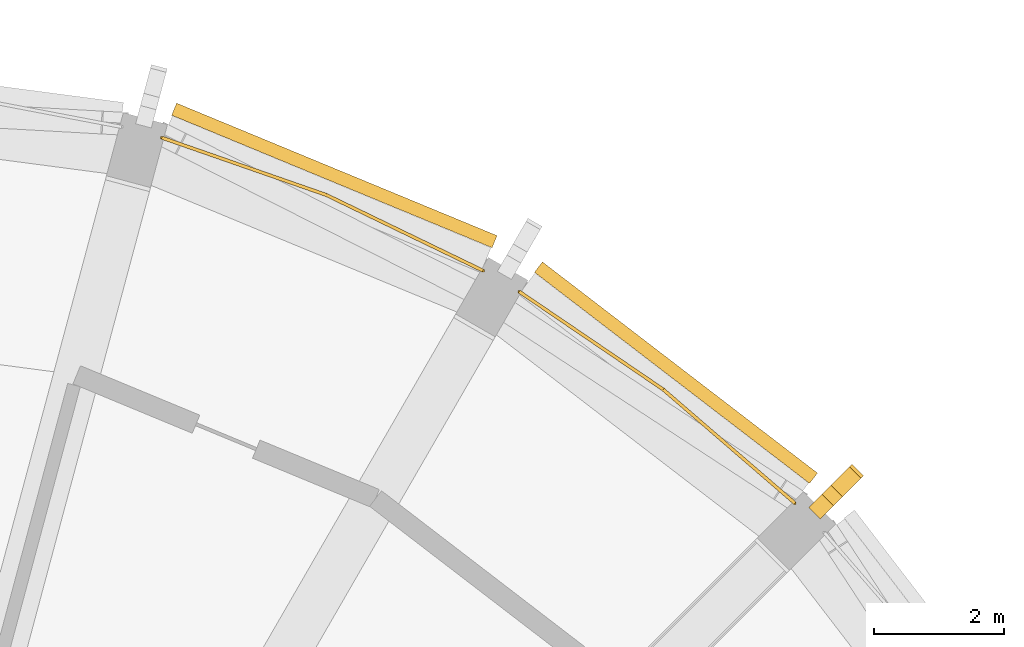
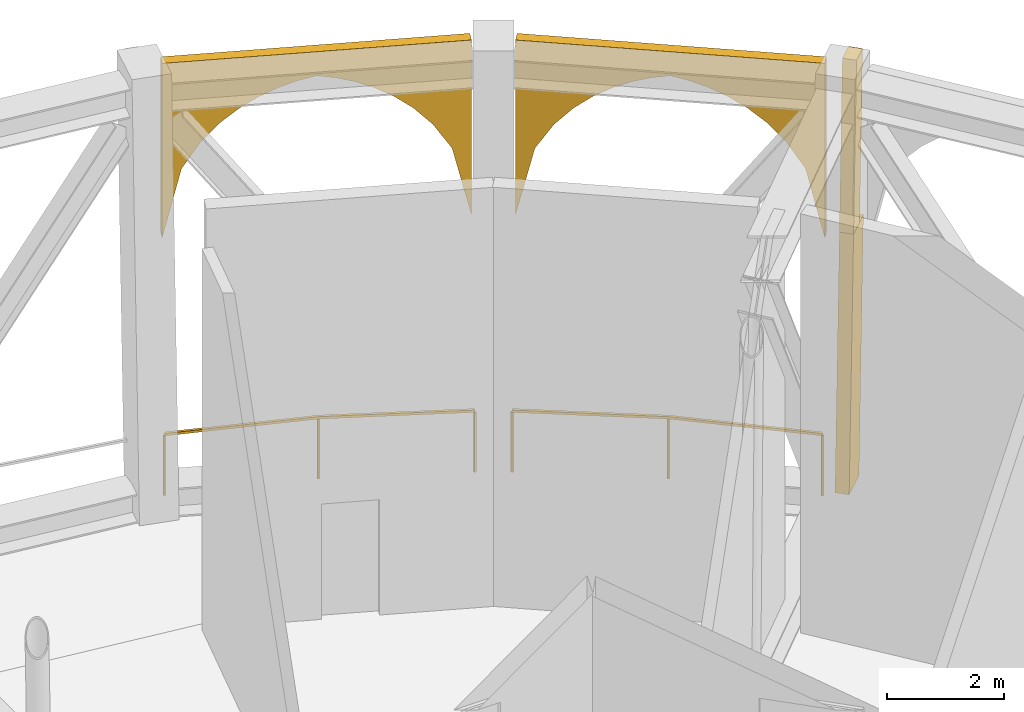
# One storey, part 11 of 12: 4 coverings, 2 railings.
"""IFC4 building model written with IfcOpenShell, lengths in metres."""

from ifc_helpers import new_model, si_unit, direction, frame, origin, origin_2d, place, context, subcontext, project, spatial, polyline, rectangle, outline, extrude, material, layer, layer_set, material_profile, profile_set, type_object, element, save


model = new_model("IFC4")

# Units and contexts
model_context = context("Model", 3, precision=1e-05, world=origin(), true_north=direction((0.0, 1.0)))
body_context = subcontext(model_context, "Body", "Model", "MODEL_VIEW")
ifc_project = project(units=[si_unit("LENGTHUNIT", "METRE"), si_unit("AREAUNIT", "SQUARE_METRE"), si_unit("VOLUMEUNIT", "CUBIC_METRE"), si_unit("PLANEANGLEUNIT", "RADIAN"), si_unit("MASSUNIT", "GRAM", prefix="KILO")], contexts=[model_context])

# Site, building, storey
site_placement = place(None, origin())
site = spatial("IfcSite", under=ifc_project, at=site_placement, CompositionType="ELEMENT")
building_placement = place(site_placement, origin())
building = spatial("IfcBuilding", under=site, at=building_placement, Name="Torre Triforio", CompositionType="ELEMENT")
storey_placement = place(building_placement, frame((0.0, 0.0, 183.800048828125)))
storey = spatial("IfcBuildingStorey", under=building, at=storey_placement, Name="L42", CompositionType="ELEMENT", Elevation=183.800048828125)

# Coverings
ifc_material_1 = material(Name="Limestone arch panel", Category="masonry")
ifc_layer = layer(ifc_material_1, 0.199951171875)
ifc_layer_set = layer_set([ifc_layer], Name="Limestone arch panel")
covering_type_1 = type_object("IfcCoveringType", Name="Lancet arch cladding panel 200", PredefinedType="CLADDING", material=ifc_layer_set)
for number, where, z_axis, x_axis, name in (
    (1, (14.046630859375, 18.305908203125, 0.0), (0.608943800998, 0.793213368033, 0.0), (-0.793213368033, 0.608943800998, 0.0), "Lancet arch panel L42 bay 04"),
    (2, (8.830078125, 21.317626953125, 0.0), (0.382100188932, 0.924120904221, 0.0), (-0.924120904221, 0.382100188932, 0.0), "Lancet arch panel L42 bay 05"),
):
    element("IfcCovering", number, at=place(storey_placement, frame(where, z_axis=z_axis, x_axis=x_axis)), inside=storey, type_object=covering_type_1, Name=name, PredefinedType="CLADDING", context=body_context, shape_type="SweptSolid", body=[
        extrude(outline(polyline([(-2.65869140625, 8.719970703125), (-2.65869140625, 5.082763671875), (-2.326416015625, 6.498046875), (-1.994140625, 7.028564453125), (-1.66162109375, 7.395263671875), (-1.329345703125, 7.6689453125), (-0.9970703125, 7.877197265625), (-0.664794921875, 8.033447265625), (-0.332275390625, 8.146240234375), (0.0, 8.219970703125), (0.332275390625, 8.146240234375), (0.664794921875, 8.033447265625), (0.9970703125, 7.877197265625), (1.329345703125, 7.6689453125), (1.66162109375, 7.395263671875), (1.994140625, 7.028564453125), (2.326416015625, 6.498046875), (2.65869140625, 5.082763671875), (2.65869140625, 8.719970703125), (-2.65869140625, 8.719970703125)])), origin(), (0.0, 0.0, 1.0), 0.199951171875),
    ])

# Railings
ifc_material_2 = material(Name="Stainless steel AISI 316", Category="steel")
railing_type = type_object("IfcRailingType", Name="Loggia guard 1300", PredefinedType="GUARDRAIL", material=ifc_material_2)
railing_1_placement = place(storey_placement, frame((15.93115234375, 16.3837890625, 0.0)))
element("IfcRailing", 3, at=railing_1_placement, inside=storey, type_object=railing_type, Name="Loggia guard L42 bay 04", PredefinedType="GUARDRAIL", context=body_context, shape_type="SweptSolid", body=[
    extrude(rectangle(XDim=0.050048828125, YDim=0.050048828125, at=origin_2d()), frame((0.0, 0.0, 1.27490234375), z_axis=(-0.757012150376, 0.653400799038, 0.0), x_axis=(-0.653400799038, -0.757012150376, 0.0)), (0.0, 0.0, 1.0), 2.669677734375),
    extrude(rectangle(XDim=0.050048828125, YDim=0.050048828125, at=origin_2d()), frame((-2.02099609375, 1.744384765625, 1.27490234375), z_axis=(-0.827093160774, 0.562064856935, 0.0), x_axis=(-0.562064856935, -0.827093160774, 0.0)), (0.0, 0.0, 1.0), 2.669677734375),
    extrude(rectangle(XDim=0.0400390625, YDim=0.0400390625, at=origin_2d()), origin(), (0.0, 0.0, 1.0), 1.25),
    extrude(rectangle(XDim=0.0400390625, YDim=0.0400390625, at=origin_2d()), frame((-2.02099609375, 1.744384765625, 0.0)), (0.0, 0.0, 1.0), 1.25),
    extrude(rectangle(XDim=0.0400390625, YDim=0.0400390625, at=origin_2d()), frame((-4.22900390625, 3.244873046875, 0.0)), (0.0, 0.0, 1.0), 1.25),
])
railing_2_placement = place(storey_placement, frame((11.14794921875, 19.94873046875, 0.0)))
element("IfcRailing", 4, at=railing_2_placement, inside=storey, type_object=railing_type, Name="Loggia guard L42 bay 05", PredefinedType="GUARDRAIL", context=body_context, shape_type="SweptSolid", body=[
    extrude(rectangle(XDim=0.050048828125, YDim=0.050048828125, at=origin_2d()), frame((0.0, 0.0, 1.27490234375), z_axis=(-0.900328050646, 0.435211903812, 0.0), x_axis=(-0.435211903812, -0.900328050646, 0.0)), (0.0, 0.0, 1.0), 2.669677734375),
    extrude(rectangle(XDim=0.050048828125, YDim=0.050048828125, at=origin_2d()), frame((-2.403564453125, 1.161865234375, 1.27490234375), z_axis=(-0.944383239984, 0.328846918852, 0.0), x_axis=(-0.328846918852, -0.944383239984, 0.0)), (0.0, 0.0, 1.0), 2.669677734375),
    extrude(rectangle(XDim=0.0400390625, YDim=0.0400390625, at=origin_2d()), origin(), (0.0, 0.0, 1.0), 1.25),
    extrude(rectangle(XDim=0.0400390625, YDim=0.0400390625, at=origin_2d()), frame((-2.403564453125, 1.161865234375, 0.0)), (0.0, 0.0, 1.0), 1.25),
    extrude(rectangle(XDim=0.0400390625, YDim=0.0400390625, at=origin_2d()), frame((-4.9248046875, 2.039794921875, 0.0)), (0.0, 0.0, 1.0), 1.25),
])

# Coverings
ifc_material_3 = material(Name="Limestone fin", Category="masonry")
ifc_material_profile_1 = material_profile(ifc_material_3, rectangle(XDim=0.39990234375, YDim=0.25, at=origin_2d()), Name="FIN 400x250")
ifc_profile_set_1 = profile_set([ifc_material_profile_1], Name="Limestone fin")
covering_type_2 = type_object("IfcCoveringType", Name="Stone fin 400 x 250", PredefinedType="CLADDING", material=ifc_profile_set_1)
covering_1_placement = place(storey_placement, frame((16.57568359375, 16.57568359375, 5.23193359375), z_axis=(0.039275733082, 0.039275733082, 0.99845622517), x_axis=(-0.706015167536, -0.706015167536, 0.055544274397)))
element("IfcCovering", 5, at=covering_1_placement, inside=storey, type_object=covering_type_2, Name="Stone fin C04 L42 upper", PredefinedType="CLADDING", context=body_context, shape_type="SweptSolid", body=[
    extrude(rectangle(XDim=0.39990234375, YDim=0.25, at=origin_2d()), origin(), (0.0, 0.0, 1.0), 3.493408203125),
])
ifc_material_profile_2 = material_profile(ifc_material_3, rectangle(XDim=0.64990234375, YDim=0.25, at=origin_2d()), Name="FIN 650x250")
ifc_profile_set_2 = profile_set([ifc_material_profile_2], Name="Limestone fin")
covering_type_3 = type_object("IfcCoveringType", Name="Stone fin 650 x 250", PredefinedType="CLADDING", material=ifc_profile_set_2)
covering_2_placement = place(storey_placement, frame((16.458740234375, 16.458740234375, 0.0), z_axis=(0.039230198608, 0.039230198608, 0.998459805418), x_axis=(-0.706017699153, -0.706017699153, 0.055479878926)))
element("IfcCovering", 6, at=covering_2_placement, inside=storey, type_object=covering_type_3, Name="Stone fin C04 L42", PredefinedType="CLADDING", context=body_context, shape_type="SweptSolid", body=[
    extrude(rectangle(XDim=0.64990234375, YDim=0.25, at=origin_2d()), origin(), (0.0, 0.0, 1.0), 5.239990234375),
])

save(model, "model.ifc")
